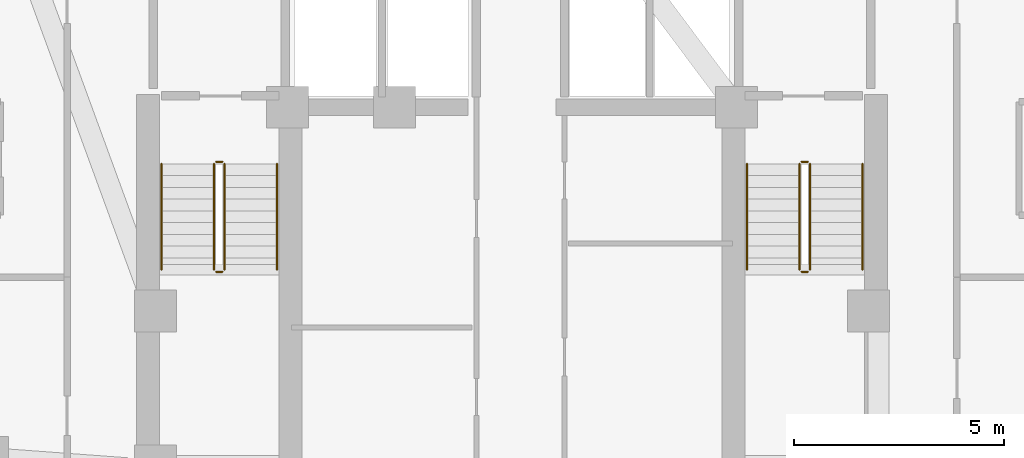
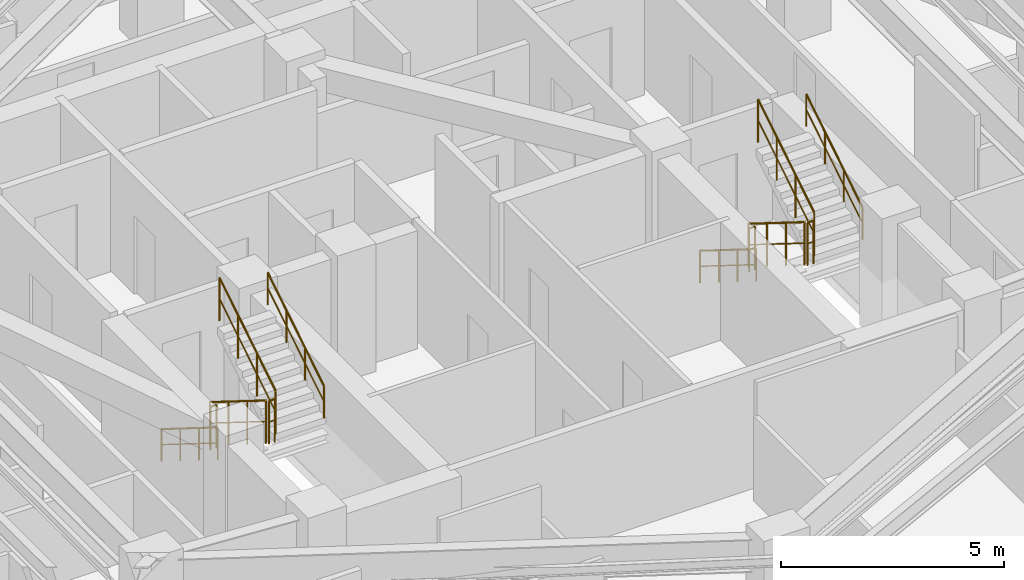
# One storey, part 11 of 11: 12 railings.
"""IFC4 building model written with IfcOpenShell, lengths in metres."""

from ifc_helpers import new_model, si_unit, direction, frame, origin, origin_2d, place, context, subcontext, project, spatial, circle, extrude, material, type_object, element, save


model = new_model("IFC4")

# Units and contexts
model_context = context("Model", 3, precision=1e-05, world=origin(), true_north=direction((0.0, 1.0)))
body_context = subcontext(model_context, "Body", "Model", "MODEL_VIEW")
ifc_project = project(units=[si_unit("LENGTHUNIT", "METRE"), si_unit("AREAUNIT", "SQUARE_METRE"), si_unit("VOLUMEUNIT", "CUBIC_METRE"), si_unit("PLANEANGLEUNIT", "RADIAN"), si_unit("MASSUNIT", "GRAM", prefix="KILO")], contexts=[model_context])

# Site, building, storey
site_placement = place(None, origin())
site = spatial("IfcSite", under=ifc_project, at=site_placement, CompositionType="ELEMENT")
building_placement = place(site_placement, origin())
building = spatial("IfcBuilding", under=site, at=building_placement, Name="Miruveldt Soraemaru", CompositionType="ELEMENT")
storey_placement = place(building_placement, frame((0.0, 0.0, 149.39990234375)))
storey = spatial("IfcBuildingStorey", under=building, at=storey_placement, Name="L41", CompositionType="ELEMENT", Elevation=149.39990234375)

# Railings
ifc_material = material(Name="Steel S355 (355 MPa)", Category="steel")
railing_type_1 = type_object("IfcRailingType", Name="RAIL-HR-900", PredefinedType="HANDRAIL", material=ifc_material)
railing_1_placement = place(storey_placement, frame((35.64990234375, 42.699951171875, 0.175048828125)))
element("IfcRailing", 1, at=railing_1_placement, inside=storey, type_object=railing_type_1, Name="L41 ST-1 stair handrail 1", PredefinedType="HANDRAIL", context=body_context, shape_type="SweptSolid", body=[
    extrude(circle(Radius=0.02392578125, at=origin_2d()), frame((0.0, 0.0, 0.8759765625), z_axis=(0.0, -0.848007534815, 0.529984170421), x_axis=(1.0, 0.0, 0.0)), (0.0, 0.0, 1.0), 2.9716796875),
    extrude(circle(Radius=0.01611328125, at=origin_2d()), frame((0.0, 0.0, 0.449951171875), z_axis=(0.0, -0.848007534815, 0.529984170421), x_axis=(1.0, 0.0, 0.0)), (0.0, 0.0, 1.0), 2.9716796875),
    extrude(circle(Radius=0.02099609375, at=origin_2d()), origin(), (0.0, 0.0, 1.0), 0.851806640625),
    extrude(circle(Radius=0.02099609375, at=origin_2d()), frame((0.0, -0.840087890625, 0.52490234375)), (0.0, 0.0, 1.0), 0.851806640625),
    extrude(circle(Radius=0.02099609375, at=origin_2d()), frame((0.0, -1.679931640625, 1.050048828125)), (0.0, 0.0, 1.0), 0.851806640625),
    extrude(circle(Radius=0.02099609375, at=origin_2d()), frame((0.0, -2.52001953125, 1.574951171875)), (0.0, 0.0, 1.0), 0.851806640625),
])
railing_2_placement = place(storey_placement, frame((38.39990234375, 40.179931640625, 1.925048828125)))
element("IfcRailing", 2, at=railing_2_placement, inside=storey, type_object=railing_type_1, Name="L41 ST-1 stair handrail 2", PredefinedType="HANDRAIL", context=body_context, shape_type="SweptSolid", body=[
    extrude(circle(Radius=0.02392578125, at=origin_2d()), frame((0.0, 0.0, 0.8759765625), z_axis=(0.0, 0.848007534815, 0.529984170421), x_axis=(-1.0, 0.0, 0.0)), (0.0, 0.0, 1.0), 2.9716796875),
    extrude(circle(Radius=0.01611328125, at=origin_2d()), frame((0.0, 0.0, 0.449951171875), z_axis=(0.0, 0.848007534815, 0.529984170421), x_axis=(-1.0, 0.0, 0.0)), (0.0, 0.0, 1.0), 2.9716796875),
    extrude(circle(Radius=0.02099609375, at=origin_2d()), origin(), (0.0, 0.0, 1.0), 0.851806640625),
    extrude(circle(Radius=0.02099609375, at=origin_2d()), frame((0.0, 0.840087890625, 0.52490234375)), (0.0, 0.0, 1.0), 0.851806640625),
    extrude(circle(Radius=0.02099609375, at=origin_2d()), frame((0.0, 1.679931640625, 1.050048828125)), (0.0, 0.0, 1.0), 0.851806640625),
    extrude(circle(Radius=0.02099609375, at=origin_2d()), frame((0.0, 2.52001953125, 1.574951171875)), (0.0, 0.0, 1.0), 0.851806640625),
])
railing_3_placement = place(storey_placement, frame((49.60009765625, 42.699951171875, 0.175048828125)))
element("IfcRailing", 3, at=railing_3_placement, inside=storey, type_object=railing_type_1, Name="L41 ST-2 stair handrail 1", PredefinedType="HANDRAIL", context=body_context, shape_type="SweptSolid", body=[
    extrude(circle(Radius=0.02392578125, at=origin_2d()), frame((0.0, 0.0, 0.8759765625), z_axis=(0.0, -0.848007534815, 0.529984170421), x_axis=(1.0, 0.0, 0.0)), (0.0, 0.0, 1.0), 2.9716796875),
    extrude(circle(Radius=0.01611328125, at=origin_2d()), frame((0.0, 0.0, 0.449951171875), z_axis=(0.0, -0.848007534815, 0.529984170421), x_axis=(1.0, 0.0, 0.0)), (0.0, 0.0, 1.0), 2.9716796875),
    extrude(circle(Radius=0.02099609375, at=origin_2d()), origin(), (0.0, 0.0, 1.0), 0.851806640625),
    extrude(circle(Radius=0.02099609375, at=origin_2d()), frame((0.0, -0.840087890625, 0.52490234375)), (0.0, 0.0, 1.0), 0.851806640625),
    extrude(circle(Radius=0.02099609375, at=origin_2d()), frame((0.0, -1.679931640625, 1.050048828125)), (0.0, 0.0, 1.0), 0.851806640625),
    extrude(circle(Radius=0.02099609375, at=origin_2d()), frame((0.0, -2.52001953125, 1.574951171875)), (0.0, 0.0, 1.0), 0.851806640625),
])
railing_4_placement = place(storey_placement, frame((52.35009765625, 40.179931640625, 1.925048828125)))
element("IfcRailing", 4, at=railing_4_placement, inside=storey, type_object=railing_type_1, Name="L41 ST-2 stair handrail 2", PredefinedType="HANDRAIL", context=body_context, shape_type="SweptSolid", body=[
    extrude(circle(Radius=0.02392578125, at=origin_2d()), frame((0.0, 0.0, 0.8759765625), z_axis=(0.0, 0.848007534815, 0.529984170421), x_axis=(-1.0, 0.0, 0.0)), (0.0, 0.0, 1.0), 2.9716796875),
    extrude(circle(Radius=0.01611328125, at=origin_2d()), frame((0.0, 0.0, 0.449951171875), z_axis=(0.0, 0.848007534815, 0.529984170421), x_axis=(-1.0, 0.0, 0.0)), (0.0, 0.0, 1.0), 2.9716796875),
    extrude(circle(Radius=0.02099609375, at=origin_2d()), origin(), (0.0, 0.0, 1.0), 0.851806640625),
    extrude(circle(Radius=0.02099609375, at=origin_2d()), frame((0.0, 0.840087890625, 0.52490234375)), (0.0, 0.0, 1.0), 0.851806640625),
    extrude(circle(Radius=0.02099609375, at=origin_2d()), frame((0.0, 1.679931640625, 1.050048828125)), (0.0, 0.0, 1.0), 0.851806640625),
    extrude(circle(Radius=0.02099609375, at=origin_2d()), frame((0.0, 2.52001953125, 1.574951171875)), (0.0, 0.0, 1.0), 0.851806640625),
])
railing_type_2 = type_object("IfcRailingType", Name="RAIL-STGUARD-1200", PredefinedType="GUARDRAIL", material=ifc_material)
railing_5_placement = place(storey_placement, frame((36.89990234375, 42.699951171875, 0.175048828125)))
element("IfcRailing", 5, at=railing_5_placement, inside=storey, type_object=railing_type_2, Name="L41 ST-1 stair guard 1", PredefinedType="GUARDRAIL", context=body_context, shape_type="SweptSolid", body=[
    extrude(circle(Radius=0.02392578125, at=origin_2d()), frame((0.0, 0.0, 1.17578125), z_axis=(0.0, -0.848007534815, 0.529984170421), x_axis=(1.0, 0.0, 0.0)), (0.0, 0.0, 1.0), 2.9716796875),
    extrude(circle(Radius=0.01611328125, at=origin_2d()), frame((0.0, 0.0, 0.60009765625), z_axis=(0.0, -0.848007534815, 0.529984170421), x_axis=(1.0, 0.0, 0.0)), (0.0, 0.0, 1.0), 2.9716796875),
    extrude(circle(Radius=0.02099609375, at=origin_2d()), origin(), (0.0, 0.0, 1.0), 1.15185546875),
    extrude(circle(Radius=0.02099609375, at=origin_2d()), frame((0.0, -0.840087890625, 0.52490234375)), (0.0, 0.0, 1.0), 1.15185546875),
    extrude(circle(Radius=0.02099609375, at=origin_2d()), frame((0.0, -1.679931640625, 1.050048828125)), (0.0, 0.0, 1.0), 1.15185546875),
    extrude(circle(Radius=0.02099609375, at=origin_2d()), frame((0.0, -2.52001953125, 1.574951171875)), (0.0, 0.0, 1.0), 1.15185546875),
])
railing_6_placement = place(storey_placement, frame((36.949951171875, 40.1298828125, 1.75)))
element("IfcRailing", 6, at=railing_6_placement, inside=storey, type_object=railing_type_2, Name="L41 ST-1 stair guard 2", PredefinedType="GUARDRAIL", context=body_context, shape_type="SweptSolid", body=[
    extrude(circle(Radius=0.02392578125, at=origin_2d()), frame((0.0, 0.0, 1.17578125), z_axis=(1.0, 0.0, 0.0), x_axis=(0.0, 1.0, 0.0)), (0.0, 0.0, 1.0), 0.150146484375),
    extrude(circle(Radius=0.01611328125, at=origin_2d()), frame((0.0, 0.0, 0.60009765625), z_axis=(1.0, 0.0, 0.0), x_axis=(0.0, 1.0, 0.0)), (0.0, 0.0, 1.0), 0.150146484375),
    extrude(circle(Radius=0.02099609375, at=origin_2d()), origin(), (0.0, 0.0, 1.0), 1.15185546875),
    extrude(circle(Radius=0.02099609375, at=origin_2d()), frame((0.150146484375, 0.0, 0.0)), (0.0, 0.0, 1.0), 1.15185546875),
])
railing_7_placement = place(storey_placement, frame((37.14990234375, 40.179931640625, 1.925048828125)))
element("IfcRailing", 7, at=railing_7_placement, inside=storey, type_object=railing_type_2, Name="L41 ST-1 stair guard 3", PredefinedType="GUARDRAIL", context=body_context, shape_type="SweptSolid", body=[
    extrude(circle(Radius=0.02392578125, at=origin_2d()), frame((0.0, 0.0, 1.17578125), z_axis=(0.0, 0.848007534815, 0.529984170421), x_axis=(-1.0, 0.0, 0.0)), (0.0, 0.0, 1.0), 2.9716796875),
    extrude(circle(Radius=0.01611328125, at=origin_2d()), frame((0.0, 0.0, 0.60009765625), z_axis=(0.0, 0.848007534815, 0.529984170421), x_axis=(-1.0, 0.0, 0.0)), (0.0, 0.0, 1.0), 2.9716796875),
    extrude(circle(Radius=0.02099609375, at=origin_2d()), origin(), (0.0, 0.0, 1.0), 1.15185546875),
    extrude(circle(Radius=0.02099609375, at=origin_2d()), frame((0.0, 0.840087890625, 0.52490234375)), (0.0, 0.0, 1.0), 1.15185546875),
    extrude(circle(Radius=0.02099609375, at=origin_2d()), frame((0.0, 1.679931640625, 1.050048828125)), (0.0, 0.0, 1.0), 1.15185546875),
    extrude(circle(Radius=0.02099609375, at=origin_2d()), frame((0.0, 2.52001953125, 1.574951171875)), (0.0, 0.0, 1.0), 1.15185546875),
])
railing_8_placement = place(storey_placement, frame((36.949951171875, 42.75, 0.0)))
element("IfcRailing", 8, at=railing_8_placement, inside=storey, type_object=railing_type_2, Name="L41 ST-1 stair guard 4", PredefinedType="GUARDRAIL", context=body_context, shape_type="SweptSolid", body=[
    extrude(circle(Radius=0.02392578125, at=origin_2d()), frame((0.0, 0.0, 1.17578125), z_axis=(1.0, 0.0, 0.0), x_axis=(0.0, 1.0, 0.0)), (0.0, 0.0, 1.0), 0.150146484375),
    extrude(circle(Radius=0.01611328125, at=origin_2d()), frame((0.0, 0.0, 0.60009765625), z_axis=(1.0, 0.0, 0.0), x_axis=(0.0, 1.0, 0.0)), (0.0, 0.0, 1.0), 0.150146484375),
    extrude(circle(Radius=0.02099609375, at=origin_2d()), origin(), (0.0, 0.0, 1.0), 1.15185546875),
    extrude(circle(Radius=0.02099609375, at=origin_2d()), frame((0.150146484375, 0.0, 0.0)), (0.0, 0.0, 1.0), 1.15185546875),
])
railing_9_placement = place(storey_placement, frame((50.85009765625, 42.699951171875, 0.175048828125)))
element("IfcRailing", 9, at=railing_9_placement, inside=storey, type_object=railing_type_2, Name="L41 ST-2 stair guard 1", PredefinedType="GUARDRAIL", context=body_context, shape_type="SweptSolid", body=[
    extrude(circle(Radius=0.02392578125, at=origin_2d()), frame((0.0, 0.0, 1.17578125), z_axis=(0.0, -0.848007534815, 0.529984170421), x_axis=(1.0, 0.0, 0.0)), (0.0, 0.0, 1.0), 2.9716796875),
    extrude(circle(Radius=0.01611328125, at=origin_2d()), frame((0.0, 0.0, 0.60009765625), z_axis=(0.0, -0.848007534815, 0.529984170421), x_axis=(1.0, 0.0, 0.0)), (0.0, 0.0, 1.0), 2.9716796875),
    extrude(circle(Radius=0.02099609375, at=origin_2d()), origin(), (0.0, 0.0, 1.0), 1.15185546875),
    extrude(circle(Radius=0.02099609375, at=origin_2d()), frame((0.0, -0.840087890625, 0.52490234375)), (0.0, 0.0, 1.0), 1.15185546875),
    extrude(circle(Radius=0.02099609375, at=origin_2d()), frame((0.0, -1.679931640625, 1.050048828125)), (0.0, 0.0, 1.0), 1.15185546875),
    extrude(circle(Radius=0.02099609375, at=origin_2d()), frame((0.0, -2.52001953125, 1.574951171875)), (0.0, 0.0, 1.0), 1.15185546875),
])
railing_10_placement = place(storey_placement, frame((50.89990234375, 40.1298828125, 1.75)))
element("IfcRailing", 10, at=railing_10_placement, inside=storey, type_object=railing_type_2, Name="L41 ST-2 stair guard 2", PredefinedType="GUARDRAIL", context=body_context, shape_type="SweptSolid", body=[
    extrude(circle(Radius=0.02392578125, at=origin_2d()), frame((0.0, 0.0, 1.17578125), z_axis=(1.0, 0.0, 0.0), x_axis=(0.0, 1.0, 0.0)), (0.0, 0.0, 1.0), 0.150146484375),
    extrude(circle(Radius=0.01611328125, at=origin_2d()), frame((0.0, 0.0, 0.60009765625), z_axis=(1.0, 0.0, 0.0), x_axis=(0.0, 1.0, 0.0)), (0.0, 0.0, 1.0), 0.150146484375),
    extrude(circle(Radius=0.02099609375, at=origin_2d()), origin(), (0.0, 0.0, 1.0), 1.15185546875),
    extrude(circle(Radius=0.02099609375, at=origin_2d()), frame((0.150146484375, 0.0, 0.0)), (0.0, 0.0, 1.0), 1.15185546875),
])
railing_11_placement = place(storey_placement, frame((51.10009765625, 40.179931640625, 1.925048828125)))
element("IfcRailing", 11, at=railing_11_placement, inside=storey, type_object=railing_type_2, Name="L41 ST-2 stair guard 3", PredefinedType="GUARDRAIL", context=body_context, shape_type="SweptSolid", body=[
    extrude(circle(Radius=0.02392578125, at=origin_2d()), frame((0.0, 0.0, 1.17578125), z_axis=(0.0, 0.848007534815, 0.529984170421), x_axis=(-1.0, 0.0, 0.0)), (0.0, 0.0, 1.0), 2.9716796875),
    extrude(circle(Radius=0.01611328125, at=origin_2d()), frame((0.0, 0.0, 0.60009765625), z_axis=(0.0, 0.848007534815, 0.529984170421), x_axis=(-1.0, 0.0, 0.0)), (0.0, 0.0, 1.0), 2.9716796875),
    extrude(circle(Radius=0.02099609375, at=origin_2d()), origin(), (0.0, 0.0, 1.0), 1.15185546875),
    extrude(circle(Radius=0.02099609375, at=origin_2d()), frame((0.0, 0.840087890625, 0.52490234375)), (0.0, 0.0, 1.0), 1.15185546875),
    extrude(circle(Radius=0.02099609375, at=origin_2d()), frame((0.0, 1.679931640625, 1.050048828125)), (0.0, 0.0, 1.0), 1.15185546875),
    extrude(circle(Radius=0.02099609375, at=origin_2d()), frame((0.0, 2.52001953125, 1.574951171875)), (0.0, 0.0, 1.0), 1.15185546875),
])
railing_12_placement = place(storey_placement, frame((50.89990234375, 42.75, 0.0)))
element("IfcRailing", 12, at=railing_12_placement, inside=storey, type_object=railing_type_2, Name="L41 ST-2 stair guard 4", PredefinedType="GUARDRAIL", context=body_context, shape_type="SweptSolid", body=[
    extrude(circle(Radius=0.02392578125, at=origin_2d()), frame((0.0, 0.0, 1.17578125), z_axis=(1.0, 0.0, 0.0), x_axis=(0.0, 1.0, 0.0)), (0.0, 0.0, 1.0), 0.150146484375),
    extrude(circle(Radius=0.01611328125, at=origin_2d()), frame((0.0, 0.0, 0.60009765625), z_axis=(1.0, 0.0, 0.0), x_axis=(0.0, 1.0, 0.0)), (0.0, 0.0, 1.0), 0.150146484375),
    extrude(circle(Radius=0.02099609375, at=origin_2d()), origin(), (0.0, 0.0, 1.0), 1.15185546875),
    extrude(circle(Radius=0.02099609375, at=origin_2d()), frame((0.150146484375, 0.0, 0.0)), (0.0, 0.0, 1.0), 1.15185546875),
])

save(model, "model.ifc")
